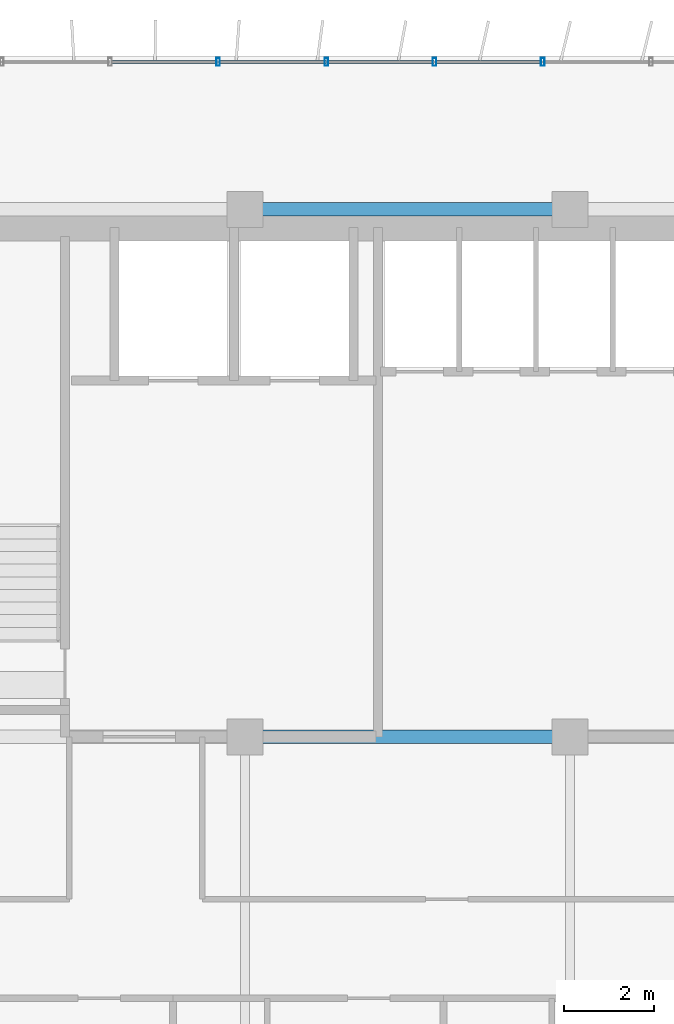
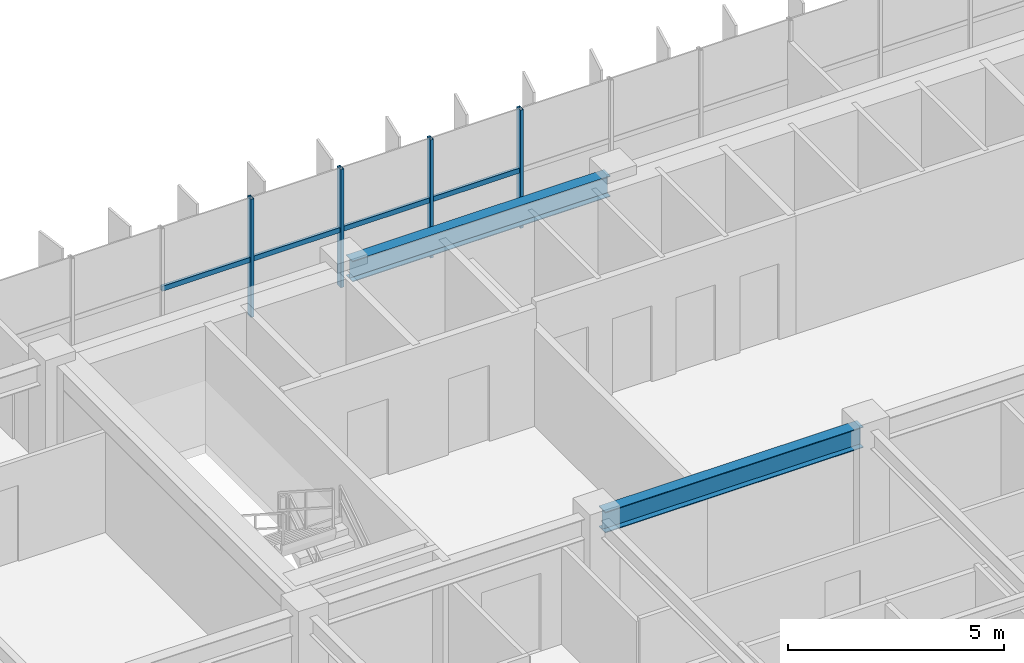
# One storey, part 6 of 22: 8 members, 2 beams, 1 element without a shape of its own.
"""IFC4 building model written with IfcOpenShell, lengths in metres."""

from ifc_helpers import new_model, si_unit, direction, frame, origin, origin_2d, place, context, subcontext, project, spatial, hollow_rectangle, i_section, extrude, source, transform, mapped, material, material_profile, profile_set, type_object, element, aggregate, save


model = new_model("IFC4")

# Units and contexts
model_context = context("Model", 3, precision=1e-05, world=origin(), true_north=direction((0.0, 1.0)))
body_context = subcontext(model_context, "Body", "Model", "MODEL_VIEW")
ifc_project = project(units=[si_unit("LENGTHUNIT", "METRE"), si_unit("AREAUNIT", "SQUARE_METRE"), si_unit("VOLUMEUNIT", "CUBIC_METRE"), si_unit("PLANEANGLEUNIT", "RADIAN"), si_unit("MASSUNIT", "GRAM", prefix="KILO")], contexts=[model_context])

# Site, building, storey
site_placement = place(None, origin())
site = spatial("IfcSite", under=ifc_project, at=site_placement, CompositionType="ELEMENT")
building_placement = place(site_placement, origin())
building = spatial("IfcBuilding", under=site, at=building_placement, Name="Trelvane Seafront Commons", CompositionType="ELEMENT")
storey_placement = place(building_placement, frame((0.0, 0.0, 117.699951171875)))
storey = spatial("IfcBuildingStorey", under=building, at=storey_placement, Name="L30", CompositionType="ELEMENT", Elevation=117.699951171875)

# Beams
ifc_material_1 = material(Name="Steel SM355 (S355)", Category="steel")
ifc_material_profile_1 = material_profile(ifc_material_1, i_section(OverallWidth=0.300048828125, OverallDepth=0.587890625, WebThickness=0.011962890625, FlangeThickness=0.02001953125, at=origin_2d()), Name="H-588x300x12x20")
ifc_profile_set_1 = profile_set([ifc_material_profile_1], Name="Steel SM355 (S355)")
beam_type = type_object("IfcBeamType", Name="STR-BM-H588", PredefinedType="BEAM", material=ifc_profile_set_1)
shared_shape_1 = source(origin(), body_context, "Body", "SweptSolid", [
    extrude(i_section(OverallWidth=0.300048828125, OverallDepth=0.587890625, WebThickness=0.011962890625, FlangeThickness=0.02001953125, at=origin_2d()), origin(), (0.0, 0.0, 1.0), 6.89990234375),
])
for number, where, z_axis, x_axis, name in (
    (1, (23.550048828125, 33.39990234375, 3.046142578125), (1.0, 0.0, 0.0), (0.0, 1.0, 0.0), "L30 Primary Girder G-22"),
    (2, (23.550048828125, 45.10009765625, 3.046142578125), (1.0, 0.0, 0.0), (0.0, 1.0, 0.0), "L30 Primary Girder G-31"),
):
    element("IfcBeam", number, at=place(storey_placement, frame(where, z_axis=z_axis, x_axis=x_axis)), inside=storey, type_object=beam_type, Name=name, PredefinedType="BEAM", context=body_context, shape_type="MappedRepresentation", body=[
        mapped(shared_shape_1, transform((0.0, 0.0, 0.0), x_axis=(1.0, 0.0, 0.0), y_axis=(0.0, 1.0, 0.0), z_axis=(0.0, 0.0, 1.0), scale=1.0)),
    ])

# Curtain wall, members
ifc_material_2 = material(Name="Anodised pale-silver aluminium", Category="aluminium")
curtain_wall_type = type_object("IfcCurtainWallType", Name="ARCH-CW4-SKYLOBBY", PredefinedType="NOTDEFINED", material=ifc_material_2)
curtain_wall_placement = place(storey_placement, origin())
curtain_wall = element("IfcCurtainWall", 3, at=curtain_wall_placement, inside=storey, type_object=curtain_wall_type, Name="CW-L30-0055", PredefinedType="NOTDEFINED")
ifc_material_profile_2 = material_profile(ifc_material_2, hollow_rectangle(XDim=0.074951171875, YDim=0.139892578125, WallThickness=0.00390625, at=origin_2d()), Name="TRAN-75x140x4")
ifc_profile_set_2 = profile_set([ifc_material_profile_2], Name="Anodised pale-silver aluminium")
member_type_1 = type_object("IfcMemberType", Name="ARCH-CW-TRAN-140", PredefinedType="USERDEFINED", material=ifc_profile_set_2)
shared_shape_2 = source(origin(), body_context, "Body", "SweptSolid", [
    extrude(hollow_rectangle(XDim=0.074951171875, YDim=0.139892578125, WallThickness=0.00390625, at=origin_2d()), origin(), (0.0, 0.0, 1.0), 2.3759765625),
])
member_1_placement = place(storey_placement, frame((20.412109375, 48.3701171875, 1.60302734375), z_axis=(1.0, 0.0, 0.0), x_axis=(0.0, 1.0, 0.0)))
member_1 = element("IfcMember", 4, at=member_1_placement, type_object=member_type_1, Name="CW-L30-0055-T02", ObjectType="TRANSOM", PredefinedType="USERDEFINED", context=body_context, shape_type="MappedRepresentation", body=[
    mapped(shared_shape_2, transform((0.0, 0.0, 0.0), x_axis=(1.0, 0.0, 0.0), y_axis=(0.0, 1.0, 0.0), z_axis=(0.0, 0.0, 1.0), scale=1.0)),
])
member_2_placement = place(storey_placement, frame((22.81201171875, 48.3701171875, 1.60302734375), z_axis=(1.0, 0.0, 0.0), x_axis=(0.0, 1.0, 0.0)))
member_2 = element("IfcMember", 5, at=member_2_placement, type_object=member_type_1, Name="CW-L30-0055-T03", ObjectType="TRANSOM", PredefinedType="USERDEFINED", context=body_context, shape_type="MappedRepresentation", body=[
    mapped(shared_shape_2, transform((0.0, 0.0, 0.0), x_axis=(1.0, 0.0, 0.0), y_axis=(0.0, 1.0, 0.0), z_axis=(0.0, 0.0, 1.0), scale=1.0)),
])
member_3_placement = place(storey_placement, frame((25.2119140625, 48.3701171875, 1.60302734375), z_axis=(1.0, 0.0, 0.0), x_axis=(0.0, 1.0, 0.0)))
member_3 = element("IfcMember", 6, at=member_3_placement, type_object=member_type_1, Name="CW-L30-0055-T04", ObjectType="TRANSOM", PredefinedType="USERDEFINED", context=body_context, shape_type="MappedRepresentation", body=[
    mapped(shared_shape_2, transform((0.0, 0.0, 0.0), x_axis=(1.0, 0.0, 0.0), y_axis=(0.0, 1.0, 0.0), z_axis=(0.0, 0.0, 1.0), scale=1.0)),
])
member_4_placement = place(storey_placement, frame((27.612060546875, 48.3701171875, 1.60302734375), z_axis=(1.0, 0.0, 0.0), x_axis=(0.0, 1.0, 0.0)))
member_4 = element("IfcMember", 7, at=member_4_placement, type_object=member_type_1, Name="CW-L30-0055-T05", ObjectType="TRANSOM", PredefinedType="USERDEFINED", context=body_context, shape_type="MappedRepresentation", body=[
    mapped(shared_shape_2, transform((0.0, 0.0, 0.0), x_axis=(1.0, 0.0, 0.0), y_axis=(0.0, 1.0, 0.0), z_axis=(0.0, 0.0, 1.0), scale=1.0)),
])
ifc_material_profile_3 = material_profile(ifc_material_2, hollow_rectangle(XDim=0.080078125, YDim=0.179931640625, WallThickness=0.00439453125, at=origin_2d()), Name="MULL-80x180x4.5")
ifc_profile_set_3 = profile_set([ifc_material_profile_3], Name="Anodised pale-silver aluminium")
member_type_2 = type_object("IfcMemberType", Name="ARCH-CW-MULL-180", PredefinedType="MULLION", material=ifc_profile_set_3)
shared_shape_3 = source(origin(), body_context, "Body", "SweptSolid", [
    extrude(hollow_rectangle(XDim=0.080078125, YDim=0.179931640625, WallThickness=0.00439453125, at=origin_2d()), origin(), (0.0, 0.0, 1.0), 3.340087890625),
])
member_5_placement = place(storey_placement, frame((22.800048828125, 48.3701171875, 0.0), z_axis=(0.0, 0.0, 1.0), x_axis=(1.0, 0.0, 0.0)))
member_5 = element("IfcMember", 8, at=member_5_placement, type_object=member_type_2, Name="CW-L30-0055-M03", PredefinedType="MULLION", context=body_context, shape_type="MappedRepresentation", body=[
    mapped(shared_shape_3, transform((0.0, 0.0, 0.0), x_axis=(1.0, 0.0, 0.0), y_axis=(0.0, 1.0, 0.0), z_axis=(0.0, 0.0, 1.0), scale=1.0)),
])
member_6_placement = place(storey_placement, frame((25.199951171875, 48.3701171875, 0.0), z_axis=(0.0, 0.0, 1.0), x_axis=(1.0, 0.0, 0.0)))
member_6 = element("IfcMember", 9, at=member_6_placement, type_object=member_type_2, Name="CW-L30-0055-M04", PredefinedType="MULLION", context=body_context, shape_type="MappedRepresentation", body=[
    mapped(shared_shape_3, transform((0.0, 0.0, 0.0), x_axis=(1.0, 0.0, 0.0), y_axis=(0.0, 1.0, 0.0), z_axis=(0.0, 0.0, 1.0), scale=1.0)),
])
member_7_placement = place(storey_placement, frame((27.60009765625, 48.3701171875, 0.0), z_axis=(0.0, 0.0, 1.0), x_axis=(1.0, 0.0, 0.0)))
member_7 = element("IfcMember", 10, at=member_7_placement, type_object=member_type_2, Name="CW-L30-0055-M05", PredefinedType="MULLION", context=body_context, shape_type="MappedRepresentation", body=[
    mapped(shared_shape_3, transform((0.0, 0.0, 0.0), x_axis=(1.0, 0.0, 0.0), y_axis=(0.0, 1.0, 0.0), z_axis=(0.0, 0.0, 1.0), scale=1.0)),
])
member_8_placement = place(storey_placement, frame((30.0, 48.3701171875, 0.0), z_axis=(0.0, 0.0, 1.0), x_axis=(1.0, 0.0, 0.0)))
member_8 = element("IfcMember", 11, at=member_8_placement, type_object=member_type_2, Name="CW-L30-0055-M06", PredefinedType="MULLION", context=body_context, shape_type="MappedRepresentation", body=[
    mapped(shared_shape_3, transform((0.0, 0.0, 0.0), x_axis=(1.0, 0.0, 0.0), y_axis=(0.0, 1.0, 0.0), z_axis=(0.0, 0.0, 1.0), scale=1.0)),
])
aggregate(curtain_wall, [member_5, member_6, member_7, member_8, member_1, member_2, member_3, member_4])

save(model, "model.ifc")
